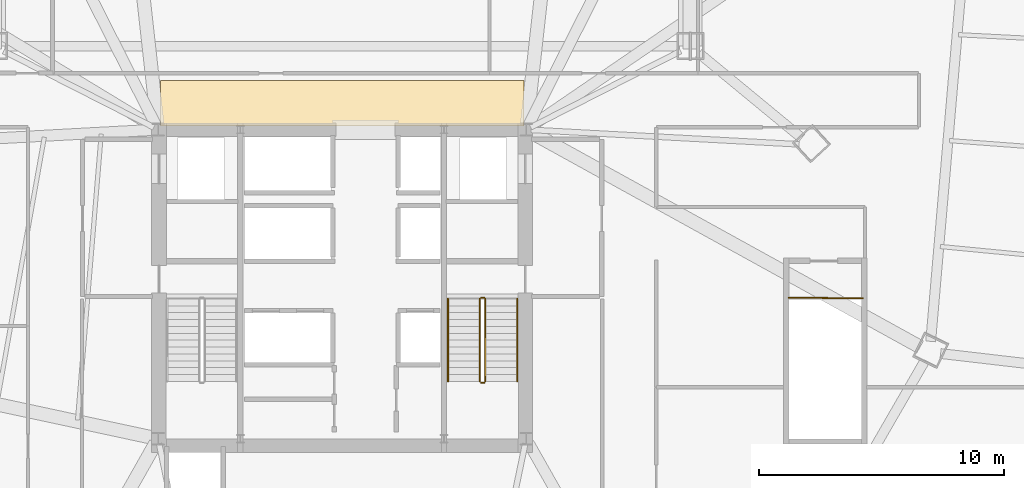
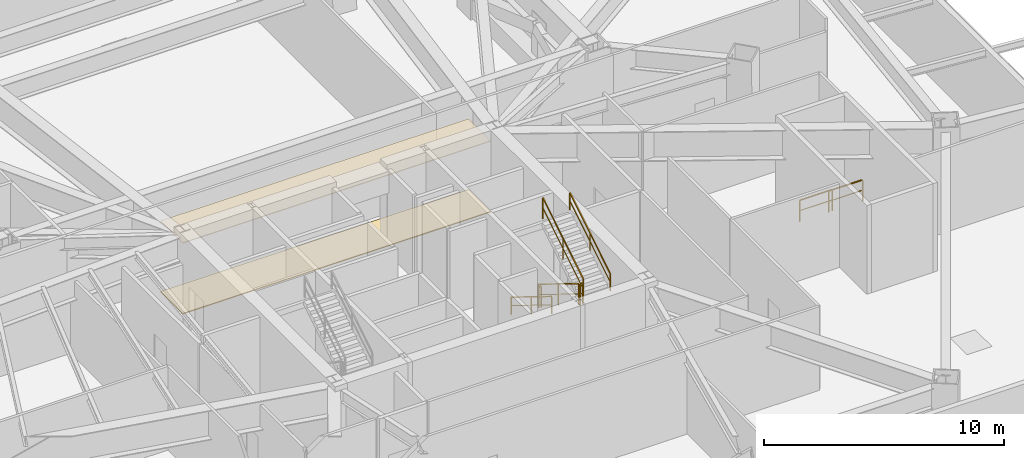
# One storey, part 12 of 13: 8 railings, 2 coverings.
"""IFC4 building model written with IfcOpenShell, lengths in metres."""

from ifc_helpers import new_model, si_unit, direction, frame, origin, origin_2d, place, context, subcontext, project, spatial, polyline, rectangle, outline, extrude, material, layer, layer_set, type_object, element, save


model = new_model("IFC4")

# Units and contexts
model_context = context("Model", 3, precision=1e-05, world=origin(), true_north=direction((0.0, 1.0)))
body_context = subcontext(model_context, "Body", "Model", "MODEL_VIEW")
ifc_project = project(units=[si_unit("LENGTHUNIT", "METRE"), si_unit("AREAUNIT", "SQUARE_METRE"), si_unit("VOLUMEUNIT", "CUBIC_METRE"), si_unit("PLANEANGLEUNIT", "RADIAN"), si_unit("MASSUNIT", "GRAM", prefix="KILO")], contexts=[model_context])

# Site, building, storey
site_placement = place(None, origin())
site = spatial("IfcSite", under=ifc_project, at=site_placement, CompositionType="ELEMENT")
building_placement = place(site_placement, origin())
building = spatial("IfcBuilding", under=site, at=building_placement, Name="Caelisora Broadcast Tower", CompositionType="ELEMENT")
storey_placement = place(building_placement, frame((0.0, 0.0, 23.10009765625)))
storey = spatial("IfcBuildingStorey", under=building, at=storey_placement, Name="L05", CompositionType="ELEMENT", Elevation=23.10009765625)

# Coverings
ifc_material_1 = material(Name="Perforated Mineral-Fibre Acoustic Ceiling Tile", Category="gypsum")
ifc_layer_1 = layer(ifc_material_1, 0.034912109375, Name="Perforated Mineral-Fibre Acoustic Ceiling Tile")
ifc_layer_set_1 = layer_set([ifc_layer_1], Name="Perforated Mineral-Fibre Acoustic Ceiling Tile")
covering_type_1 = type_object("IfcCoveringType", Name="CE-1", PredefinedType="CEILING", material=ifc_layer_set_1)
covering_1_placement = place(storey_placement, frame((0.0, 0.0, 3.599853515625)))
element("IfcCovering", 1, at=covering_1_placement, inside=storey, type_object=covering_type_1, Name="L05 acoustic corridor ceiling CE-1 (N)", PredefinedType="CEILING", context=body_context, shape_type="SweptSolid", body=[
    extrude(outline(polyline([(30.60009765625, 30.14990234375), (45.39990234375, 30.14990234375), (45.39990234375, 32.0), (30.60009765625, 32.0), (30.60009765625, 30.14990234375)])), origin(), (0.0, 0.0, 1.0), 0.03515625),
])
ifc_material_2 = material(Name="Anti-Static Broadcast Raised Access Floor Panel", Category="steel")
ifc_layer_2 = layer(ifc_material_2, 0.044921875, Name="Anti-Static Broadcast Raised Access Floor Panel")
ifc_layer_set_2 = layer_set([ifc_layer_2], Name="Anti-Static Broadcast Raised Access Floor Panel")
covering_type_2 = type_object("IfcCoveringType", Name="FL-1", PredefinedType="FLOORING", material=ifc_layer_set_2)
covering_2_placement = place(storey_placement, origin())
element("IfcCovering", 2, at=covering_2_placement, inside=storey, type_object=covering_type_2, Name="L05 broadcast raised access floor FL-1 (N)", PredefinedType="FLOORING", context=body_context, shape_type="SweptSolid", body=[
    extrude(outline(polyline([(30.60009765625, 30.14990234375), (45.39990234375, 30.14990234375), (45.39990234375, 32.0), (30.60009765625, 32.0), (30.60009765625, 30.14990234375)])), origin(), (0.0, 0.0, 1.0), 0.044921875),
])

# Railings
ifc_material_3 = material(Name="Galvanised Steel Safety Guardrail", Category="steel")
ifc_layer_3 = layer(ifc_material_3, 0.048095703125, Name="Galvanised Steel Safety Guardrail")
ifc_layer_set_3 = layer_set([ifc_layer_3], Name="Galvanised Steel Safety Guardrail")
railing_type_1 = type_object("IfcRailingType", Name="GR-1", PredefinedType="GUARDRAIL", material=ifc_layer_set_3)
railing_1_placement = place(storey_placement, frame((57.580078125, 23.1298828125, 0.0)))
element("IfcRailing", 3, at=railing_1_placement, inside=storey, type_object=railing_type_1, Name="L05 podium stair ST-3 top well guardrail", PredefinedType="GUARDRAIL", context=body_context, shape_type="SweptSolid", body=[
    extrude(rectangle(XDim=0.048095703125, YDim=0.048095703125, at=origin_2d()), frame((0.0, 0.0, 1.076171875), z_axis=(1.0, 0.0, 0.0), x_axis=(0.0, 1.0, 0.0)), (0.0, 0.0, 1.0), 1.639892578125),
    extrude(rectangle(XDim=0.03125, YDim=0.03125, at=origin_2d()), frame((0.0, 0.0, 0.550048828125), z_axis=(1.0, 0.0, 0.0), x_axis=(0.0, 1.0, 0.0)), (0.0, 0.0, 1.0), 1.639892578125),
    extrude(rectangle(XDim=0.0419921875, YDim=0.0419921875, at=origin_2d()), origin(), (0.0, 0.0, 1.0), 1.052001953125),
    extrude(rectangle(XDim=0.0419921875, YDim=0.0419921875, at=origin_2d()), frame((1.639892578125, 0.0, 0.0)), (0.0, 0.0, 1.0), 1.052001953125),
])
railing_2_placement = place(storey_placement, frame((43.610107421875, 23.10009765625, 0.173095703125)))
element("IfcRailing", 4, at=railing_2_placement, inside=storey, type_object=railing_type_1, Name="L05 ST-2 stair guard 1", PredefinedType="GUARDRAIL", context=body_context, shape_type="SweptSolid", body=[
    extrude(rectangle(XDim=0.048095703125, YDim=0.048095703125, at=origin_2d()), frame((0.0, 0.0, 1.076171875), z_axis=(0.0, -0.850623216509, 0.525775754039), x_axis=(1.0, 0.0, 0.0)), (0.0, 0.0, 1.0), 3.9501953125),
    extrude(rectangle(XDim=0.03125, YDim=0.03125, at=origin_2d()), frame((0.0, 0.0, 0.550048828125), z_axis=(0.0, -0.850623216509, 0.525775754039), x_axis=(1.0, 0.0, 0.0)), (0.0, 0.0, 1.0), 3.9501953125),
    extrude(rectangle(XDim=0.0419921875, YDim=0.0419921875, at=origin_2d()), origin(), (0.0, 0.0, 1.0), 1.052001953125),
    extrude(rectangle(XDim=0.0419921875, YDim=0.0419921875, at=origin_2d()), frame((0.0, -1.68017578125, 1.03857421875)), (0.0, 0.0, 1.0), 1.052001953125),
    extrude(rectangle(XDim=0.0419921875, YDim=0.0419921875, at=origin_2d()), frame((0.0, -3.360107421875, 2.076904296875)), (0.0, 0.0, 1.0), 1.052001953125),
])
railing_3_placement = place(storey_placement, frame((43.659912109375, 19.68994140625, 2.25)))
element("IfcRailing", 5, at=railing_3_placement, inside=storey, type_object=railing_type_1, Name="L05 ST-2 stair guard 2", PredefinedType="GUARDRAIL", context=body_context, shape_type="SweptSolid", body=[
    extrude(rectangle(XDim=0.048095703125, YDim=0.048095703125, at=origin_2d()), frame((0.0, 0.0, 1.076171875), z_axis=(1.0, 0.0, 0.0), x_axis=(0.0, 1.0, 0.0)), (0.0, 0.0, 1.0), 0.1201171875),
    extrude(rectangle(XDim=0.03125, YDim=0.03125, at=origin_2d()), frame((0.0, 0.0, 0.550048828125), z_axis=(1.0, 0.0, 0.0), x_axis=(0.0, 1.0, 0.0)), (0.0, 0.0, 1.0), 0.1201171875),
    extrude(rectangle(XDim=0.0419921875, YDim=0.0419921875, at=origin_2d()), origin(), (0.0, 0.0, 1.0), 1.052001953125),
    extrude(rectangle(XDim=0.0419921875, YDim=0.0419921875, at=origin_2d()), frame((0.1201171875, 0.0, 0.0)), (0.0, 0.0, 1.0), 1.052001953125),
])
railing_4_placement = place(storey_placement, frame((43.830078125, 19.739990234375, 2.423095703125)))
element("IfcRailing", 6, at=railing_4_placement, inside=storey, type_object=railing_type_1, Name="L05 ST-2 stair guard 3", PredefinedType="GUARDRAIL", context=body_context, shape_type="SweptSolid", body=[
    extrude(rectangle(XDim=0.048095703125, YDim=0.048095703125, at=origin_2d()), frame((0.0, 0.0, 1.076171875), z_axis=(0.0, 0.850623216509, 0.525775754039), x_axis=(-1.0, 0.0, 0.0)), (0.0, 0.0, 1.0), 3.9501953125),
    extrude(rectangle(XDim=0.03125, YDim=0.03125, at=origin_2d()), frame((0.0, 0.0, 0.550048828125), z_axis=(0.0, 0.850623216509, 0.525775754039), x_axis=(-1.0, 0.0, 0.0)), (0.0, 0.0, 1.0), 3.9501953125),
    extrude(rectangle(XDim=0.0419921875, YDim=0.0419921875, at=origin_2d()), origin(), (0.0, 0.0, 1.0), 1.052001953125),
    extrude(rectangle(XDim=0.0419921875, YDim=0.0419921875, at=origin_2d()), frame((0.0, 1.68017578125, 1.03857421875)), (0.0, 0.0, 1.0), 1.052001953125),
    extrude(rectangle(XDim=0.0419921875, YDim=0.0419921875, at=origin_2d()), frame((0.0, 3.360107421875, 2.076904296875)), (0.0, 0.0, 1.0), 1.052001953125),
])
railing_5_placement = place(storey_placement, frame((43.659912109375, 23.14990234375, 0.0)))
element("IfcRailing", 7, at=railing_5_placement, inside=storey, type_object=railing_type_1, Name="L05 ST-2 stair guard 4", PredefinedType="GUARDRAIL", context=body_context, shape_type="SweptSolid", body=[
    extrude(rectangle(XDim=0.048095703125, YDim=0.048095703125, at=origin_2d()), frame((0.0, 0.0, 1.076171875), z_axis=(1.0, 0.0, 0.0), x_axis=(0.0, 1.0, 0.0)), (0.0, 0.0, 1.0), 0.1201171875),
    extrude(rectangle(XDim=0.03125, YDim=0.03125, at=origin_2d()), frame((0.0, 0.0, 0.550048828125), z_axis=(1.0, 0.0, 0.0), x_axis=(0.0, 1.0, 0.0)), (0.0, 0.0, 1.0), 0.1201171875),
    extrude(rectangle(XDim=0.0419921875, YDim=0.0419921875, at=origin_2d()), origin(), (0.0, 0.0, 1.0), 1.052001953125),
    extrude(rectangle(XDim=0.0419921875, YDim=0.0419921875, at=origin_2d()), frame((0.1201171875, 0.0, 0.0)), (0.0, 0.0, 1.0), 1.052001953125),
])
railing_6_placement = place(storey_placement, frame((56.199951171875, 23.14990234375, 0.0)))
element("IfcRailing", 8, at=railing_6_placement, inside=storey, type_object=railing_type_1, Name="L05 ST-3 top well guard 1", PredefinedType="GUARDRAIL", context=body_context, shape_type="SweptSolid", body=[
    extrude(rectangle(XDim=0.048095703125, YDim=0.048095703125, at=origin_2d()), frame((0.0, 0.0, 1.076171875), z_axis=(1.0, 0.0, 0.0), x_axis=(0.0, 1.0, 0.0)), (0.0, 0.0, 1.0), 1.56005859375),
    extrude(rectangle(XDim=0.03125, YDim=0.03125, at=origin_2d()), frame((0.0, 0.0, 0.550048828125), z_axis=(1.0, 0.0, 0.0), x_axis=(0.0, 1.0, 0.0)), (0.0, 0.0, 1.0), 1.56005859375),
    extrude(rectangle(XDim=0.0419921875, YDim=0.0419921875, at=origin_2d()), origin(), (0.0, 0.0, 1.0), 1.052001953125),
    extrude(rectangle(XDim=0.0419921875, YDim=0.0419921875, at=origin_2d()), frame((1.56005859375, 0.0, 0.0)), (0.0, 0.0, 1.0), 1.052001953125),
])
ifc_material_4 = material(Name="Stainless Steel Grade 316 Tubular Handrail", Category="steel")
ifc_layer_4 = layer(ifc_material_4, 0.048095703125, Name="Stainless Steel Grade 316 Tubular Handrail")
ifc_layer_set_4 = layer_set([ifc_layer_4], Name="Stainless Steel Grade 316 Tubular Handrail")
railing_type_2 = type_object("IfcRailingType", Name="HR-1", PredefinedType="HANDRAIL", material=ifc_layer_set_4)
railing_7_placement = place(storey_placement, frame((42.31005859375, 23.10009765625, 0.173095703125)))
element("IfcRailing", 9, at=railing_7_placement, inside=storey, type_object=railing_type_2, Name="L05 ST-2 stair handrail 1", PredefinedType="HANDRAIL", context=body_context, shape_type="SweptSolid", body=[
    extrude(rectangle(XDim=0.048095703125, YDim=0.048095703125, at=origin_2d()), frame((0.0, 0.0, 0.8759765625), z_axis=(0.0, -0.850623216509, 0.525775754039), x_axis=(1.0, 0.0, 0.0)), (0.0, 0.0, 1.0), 3.9501953125),
    extrude(rectangle(XDim=0.03125, YDim=0.03125, at=origin_2d()), frame((0.0, 0.0, 0.449951171875), z_axis=(0.0, -0.850623216509, 0.525775754039), x_axis=(1.0, 0.0, 0.0)), (0.0, 0.0, 1.0), 3.9501953125),
    extrude(rectangle(XDim=0.0419921875, YDim=0.0419921875, at=origin_2d()), origin(), (0.0, 0.0, 1.0), 0.851806640625),
    extrude(rectangle(XDim=0.0419921875, YDim=0.0419921875, at=origin_2d()), frame((0.0, -1.68017578125, 1.03857421875)), (0.0, 0.0, 1.0), 0.851806640625),
    extrude(rectangle(XDim=0.0419921875, YDim=0.0419921875, at=origin_2d()), frame((0.0, -3.360107421875, 2.076904296875)), (0.0, 0.0, 1.0), 0.851806640625),
])
railing_8_placement = place(storey_placement, frame((45.1298828125, 19.739990234375, 2.423095703125)))
element("IfcRailing", 10, at=railing_8_placement, inside=storey, type_object=railing_type_2, Name="L05 ST-2 stair handrail 2", PredefinedType="HANDRAIL", context=body_context, shape_type="SweptSolid", body=[
    extrude(rectangle(XDim=0.048095703125, YDim=0.048095703125, at=origin_2d()), frame((0.0, 0.0, 0.8759765625), z_axis=(0.0, 0.850623216509, 0.525775754039), x_axis=(-1.0, 0.0, 0.0)), (0.0, 0.0, 1.0), 3.9501953125),
    extrude(rectangle(XDim=0.03125, YDim=0.03125, at=origin_2d()), frame((0.0, 0.0, 0.449951171875), z_axis=(0.0, 0.850623216509, 0.525775754039), x_axis=(-1.0, 0.0, 0.0)), (0.0, 0.0, 1.0), 3.9501953125),
    extrude(rectangle(XDim=0.0419921875, YDim=0.0419921875, at=origin_2d()), origin(), (0.0, 0.0, 1.0), 0.851806640625),
    extrude(rectangle(XDim=0.0419921875, YDim=0.0419921875, at=origin_2d()), frame((0.0, 1.68017578125, 1.03857421875)), (0.0, 0.0, 1.0), 0.851806640625),
    extrude(rectangle(XDim=0.0419921875, YDim=0.0419921875, at=origin_2d()), frame((0.0, 3.360107421875, 2.076904296875)), (0.0, 0.0, 1.0), 0.851806640625),
])

save(model, "model.ifc")
